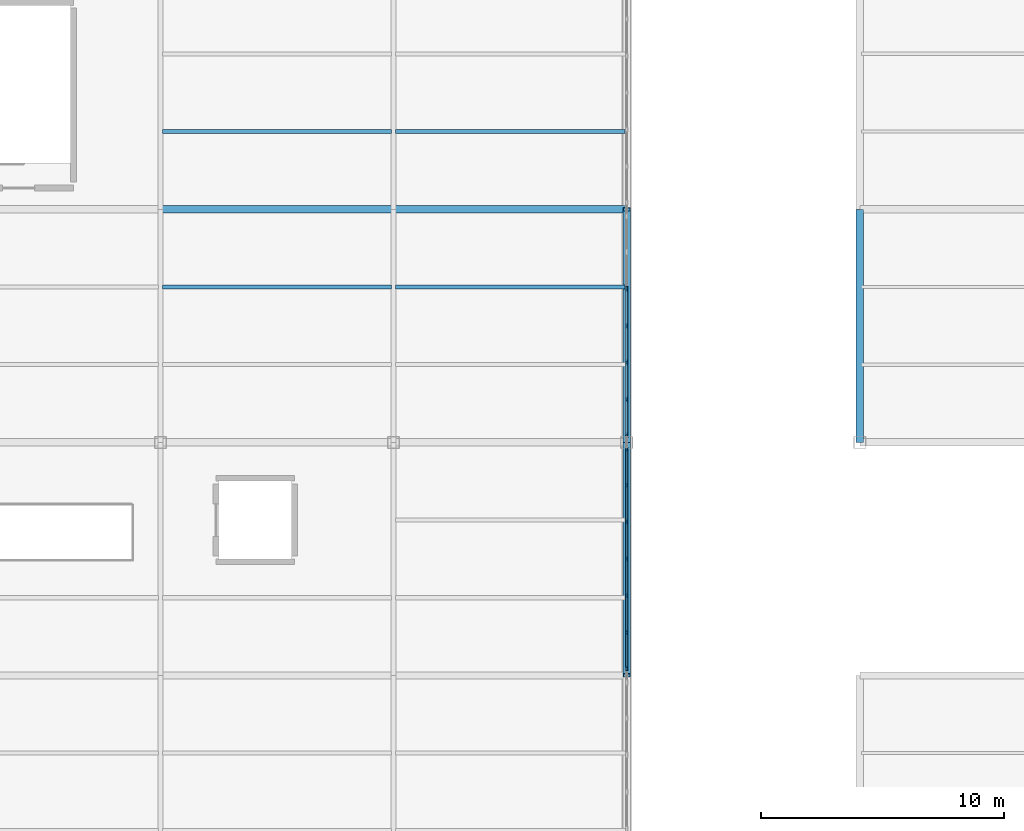
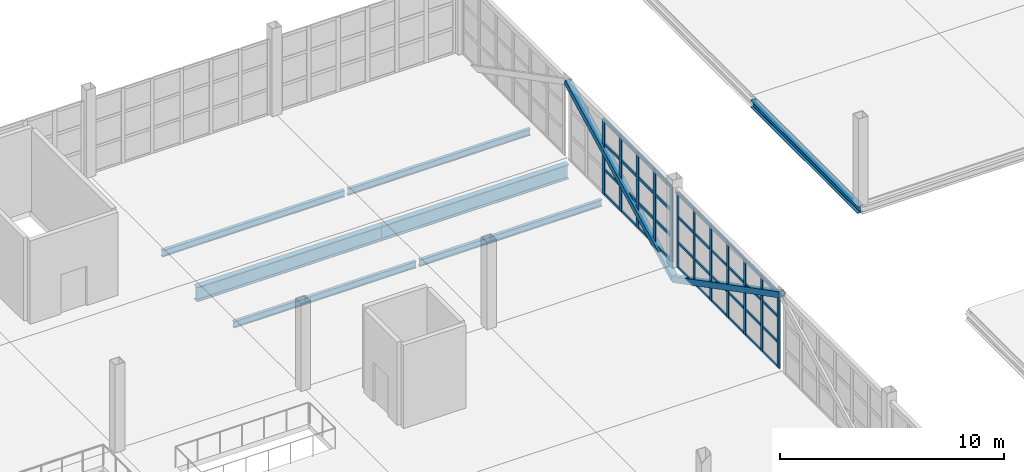
# One storey, part 55 of 120: 54 members, 7 beams, 2 elements without a shape of their own.
"""IFC4 building model written with IfcOpenShell, lengths in metres."""

from ifc_helpers import new_model, si_unit, direction, frame, origin, origin_2d, place, context, subcontext, project, spatial, rectangle, hollow_rectangle, i_section, extrude, material, layer, layer_set, material_profile, profile_set, type_object, element, aggregate, save


model = new_model("IFC4")

# Units and contexts
model_context = context("Model", 3, precision=1e-05, world=origin(), true_north=direction((0.0, 1.0)))
body_context = subcontext(model_context, "Body", "Model", "MODEL_VIEW")
ifc_project = project(units=[si_unit("LENGTHUNIT", "METRE"), si_unit("AREAUNIT", "SQUARE_METRE"), si_unit("VOLUMEUNIT", "CUBIC_METRE"), si_unit("PLANEANGLEUNIT", "RADIAN"), si_unit("MASSUNIT", "GRAM", prefix="KILO")], contexts=[model_context])

# Site, building, storey
site_placement = place(None, origin())
site = spatial("IfcSite", under=ifc_project, at=site_placement, CompositionType="ELEMENT")
building_placement = place(site_placement, origin())
building = spatial("IfcBuilding", under=site, at=building_placement, Name="Zarnetskaya Central Station", CompositionType="ELEMENT")
storey_placement = place(building_placement, frame((0.0, 0.0, 5.39990234375)))
storey = spatial("IfcBuildingStorey", under=building, at=storey_placement, Name="L01", CompositionType="ELEMENT", Elevation=5.39990234375)

# Beams
ifc_material_1 = material(Name="Steel S355", Category="steel")
ifc_material_profile_1 = material_profile(ifc_material_1, i_section(OverallWidth=0.169921875, OverallDepth=0.360107421875, WebThickness=0.008056640625, FlangeThickness=0.0126953125, FilletRadius=0.01806640625, at=origin_2d()), Name="IPE 360")
ifc_profile_set_1 = profile_set([ifc_material_profile_1], Name="Steel S355")
beam_type_1 = type_object("IfcBeamType", Name="BM-SEC-360", PredefinedType="BEAM", material=ifc_profile_set_1)
for number, where, z_axis, x_axis, name in (
    (1, (96.080078125, 112.0, -0.4599609375), (1.0, 0.0, 0.0), (0.0, 1.0, 0.0), "Secondary floor beam SEC-L01-Z512-LM-1314-2"),
    (2, (96.080078125, 118.39990234375, -0.4599609375), (1.0, 0.0, 0.0), (0.0, 1.0, 0.0), "Secondary floor beam SEC-L01-Z512-LM-1415-1"),
):
    element("IfcBeam", number, at=place(storey_placement, frame(where, z_axis=z_axis, x_axis=x_axis)), inside=storey, type_object=beam_type_1, Name=name, PredefinedType="BEAM", context=body_context, shape_type="SweptSolid", body=[
        extrude(i_section(OverallWidth=0.169921875, OverallDepth=0.360107421875, WebThickness=0.008056640625, FlangeThickness=0.0126953125, FilletRadius=0.01806640625, at=origin_2d()), origin(), (0.0, 0.0, 1.0), 9.43994140625),
    ])
for number, where, z_axis, x_axis, name in (
    (3, (105.679931640625, 112.0, -0.4599609375), (1.0, 0.0, 0.0), (0.0, 1.0, 0.0), "Secondary floor beam SEC-L01-Z512-MN-1314-2"),
    (4, (105.679931640625, 118.39990234375, -0.4599609375), (1.0, 0.0, 0.0), (0.0, 1.0, 0.0), "Secondary floor beam SEC-L01-Z512-MN-1415-1"),
):
    element("IfcBeam", number, at=place(storey_placement, frame(where, z_axis=z_axis, x_axis=x_axis)), inside=storey, type_object=beam_type_1, Name=name, PredefinedType="BEAM", context=body_context, shape_type="SweptSolid", body=[
        extrude(i_section(OverallWidth=0.169921875, OverallDepth=0.360107421875, WebThickness=0.008056640625, FlangeThickness=0.0126953125, FilletRadius=0.01806640625, at=origin_2d()), origin(), (0.0, 0.0, 1.0), 9.440185546875),
    ])

# Curtain wall, members
ifc_material_2 = material(Name="Low-E insulated glass", Category="glass")
ifc_layer = layer(ifc_material_2, 0.172119140625, Name="Low-E insulated glass", Category="glass")
ifc_layer_set = layer_set([ifc_layer], Name="Low-E insulated glass")
curtain_wall_type = type_object("IfcCurtainWallType", Name="CW-SYS-09", PredefinedType="USERDEFINED", material=ifc_layer_set)
curtain_wall_1_placement = place(storey_placement, origin())
curtain_wall_1 = element("IfcCurtainWall", 5, at=curtain_wall_1_placement, inside=storey, type_object=curtain_wall_type, Name="Curtain wall CW-L01-159", ObjectType="CURTAIN WALL", PredefinedType="USERDEFINED")
ifc_material_3 = material(Name="Anodised aluminium", Category="aluminium")
ifc_material_profile_2 = material_profile(ifc_material_3, rectangle(XDim=0.070068359375, YDim=0.179931640625, at=origin_2d()), Name="ALU MULL 70x180")
ifc_profile_set_2 = profile_set([ifc_material_profile_2], Name="Anodised aluminium")
member_type_1 = type_object("IfcMemberType", Name="CW-MULL-180", PredefinedType="MULLION", material=ifc_profile_set_2)
member_1_placement = place(storey_placement, frame((115.199951171875, 105.31494140625, 0.0), z_axis=(0.0, 0.0, 1.0), x_axis=(1.0, 0.0, 0.0)))
member_1 = element("IfcMember", 6, at=member_1_placement, type_object=member_type_1, Name="CW-07 mullion 1", PredefinedType="MULLION", context=body_context, shape_type="SweptSolid", body=[
    extrude(rectangle(XDim=0.070068359375, YDim=0.179931640625, at=origin_2d()), origin(), (0.0, 0.0, 1.0), 4.10009765625),
])
member_2_placement = place(storey_placement, frame((115.199951171875, 103.833251953125, 0.0), z_axis=(0.0, 0.0, 1.0), x_axis=(1.0, 0.0, 0.0)))
member_2 = element("IfcMember", 7, at=member_2_placement, type_object=member_type_1, Name="CW-07 mullion 2", PredefinedType="MULLION", context=body_context, shape_type="SweptSolid", body=[
    extrude(rectangle(XDim=0.070068359375, YDim=0.179931640625, at=origin_2d()), origin(), (0.0, 0.0, 1.0), 4.10009765625),
])
member_3_placement = place(storey_placement, frame((115.199951171875, 102.316650390625, 0.0), z_axis=(0.0, 0.0, 1.0), x_axis=(1.0, 0.0, 0.0)))
member_3 = element("IfcMember", 8, at=member_3_placement, type_object=member_type_1, Name="CW-07 mullion 3", PredefinedType="MULLION", context=body_context, shape_type="SweptSolid", body=[
    extrude(rectangle(XDim=0.070068359375, YDim=0.179931640625, at=origin_2d()), origin(), (0.0, 0.0, 1.0), 4.10009765625),
])
member_4_placement = place(storey_placement, frame((115.199951171875, 100.800048828125, 0.0), z_axis=(0.0, 0.0, 1.0), x_axis=(1.0, 0.0, 0.0)))
member_4 = element("IfcMember", 9, at=member_4_placement, type_object=member_type_1, Name="CW-07 mullion 4", PredefinedType="MULLION", context=body_context, shape_type="SweptSolid", body=[
    extrude(rectangle(XDim=0.070068359375, YDim=0.179931640625, at=origin_2d()), origin(), (0.0, 0.0, 1.0), 4.10009765625),
])
member_5_placement = place(storey_placement, frame((115.199951171875, 99.283447265625, 0.0), z_axis=(0.0, 0.0, 1.0), x_axis=(1.0, 0.0, 0.0)))
member_5 = element("IfcMember", 10, at=member_5_placement, type_object=member_type_1, Name="CW-07 mullion 5", PredefinedType="MULLION", context=body_context, shape_type="SweptSolid", body=[
    extrude(rectangle(XDim=0.070068359375, YDim=0.179931640625, at=origin_2d()), origin(), (0.0, 0.0, 1.0), 4.10009765625),
])
member_6_placement = place(storey_placement, frame((115.199951171875, 97.7666015625, 0.0), z_axis=(0.0, 0.0, 1.0), x_axis=(1.0, 0.0, 0.0)))
member_6 = element("IfcMember", 11, at=member_6_placement, type_object=member_type_1, Name="CW-07 mullion 6", PredefinedType="MULLION", context=body_context, shape_type="SweptSolid", body=[
    extrude(rectangle(XDim=0.070068359375, YDim=0.179931640625, at=origin_2d()), origin(), (0.0, 0.0, 1.0), 4.10009765625),
])
member_7_placement = place(storey_placement, frame((115.199951171875, 96.284912109375, 0.0), z_axis=(0.0, 0.0, 1.0), x_axis=(1.0, 0.0, 0.0)))
member_7 = element("IfcMember", 12, at=member_7_placement, type_object=member_type_1, Name="CW-07 mullion 7", PredefinedType="MULLION", context=body_context, shape_type="SweptSolid", body=[
    extrude(rectangle(XDim=0.070068359375, YDim=0.179931640625, at=origin_2d()), origin(), (0.0, 0.0, 1.0), 4.10009765625),
])

curtain_wall_2_placement = place(storey_placement, origin())
curtain_wall_2 = element("IfcCurtainWall", 13, at=curtain_wall_2_placement, inside=storey, type_object=curtain_wall_type, Name="Curtain wall CW-L01-158", ObjectType="CURTAIN WALL", PredefinedType="USERDEFINED")
ifc_material_profile_3 = material_profile(ifc_material_3, rectangle(XDim=0.080078125, YDim=0.219970703125, at=origin_2d()), Name="ALU MULL 80x220")
ifc_profile_set_3 = profile_set([ifc_material_profile_3], Name="Anodised aluminium")
member_type_2 = type_object("IfcMemberType", Name="CW-MULL-220", PredefinedType="MULLION", material=ifc_profile_set_3)
member_8_placement = place(storey_placement, frame((115.199951171875, 111.916748046875, 0.0), z_axis=(0.0, 0.0, 1.0), x_axis=(1.0, 0.0, 0.0)))
member_8 = element("IfcMember", 14, at=member_8_placement, type_object=member_type_2, Name="CW-07 mullion 3", PredefinedType="MULLION", context=body_context, shape_type="SweptSolid", body=[
    extrude(rectangle(XDim=0.080078125, YDim=0.219970703125, at=origin_2d()), origin(), (0.0, 0.0, 1.0), 4.10009765625),
])
member_9_placement = place(storey_placement, frame((115.199951171875, 110.39990234375, 0.0), z_axis=(0.0, 0.0, 1.0), x_axis=(1.0, 0.0, 0.0)))
member_9 = element("IfcMember", 15, at=member_9_placement, type_object=member_type_2, Name="CW-07 mullion 4", PredefinedType="MULLION", context=body_context, shape_type="SweptSolid", body=[
    extrude(rectangle(XDim=0.080078125, YDim=0.219970703125, at=origin_2d()), origin(), (0.0, 0.0, 1.0), 4.10009765625),
])
member_10_placement = place(storey_placement, frame((115.199951171875, 108.88330078125, 0.0), z_axis=(0.0, 0.0, 1.0), x_axis=(1.0, 0.0, 0.0)))
member_10 = element("IfcMember", 16, at=member_10_placement, type_object=member_type_2, Name="CW-07 mullion 5", PredefinedType="MULLION", context=body_context, shape_type="SweptSolid", body=[
    extrude(rectangle(XDim=0.080078125, YDim=0.219970703125, at=origin_2d()), origin(), (0.0, 0.0, 1.0), 4.10009765625),
])
member_11_placement = place(storey_placement, frame((115.199951171875, 107.36669921875, 0.0), z_axis=(0.0, 0.0, 1.0), x_axis=(1.0, 0.0, 0.0)))
member_11 = element("IfcMember", 17, at=member_11_placement, type_object=member_type_2, Name="CW-07 mullion 6", PredefinedType="MULLION", context=body_context, shape_type="SweptSolid", body=[
    extrude(rectangle(XDim=0.080078125, YDim=0.219970703125, at=origin_2d()), origin(), (0.0, 0.0, 1.0), 4.10009765625),
])
member_12_placement = place(storey_placement, frame((115.199951171875, 105.889892578125, 0.0), z_axis=(0.0, 0.0, 1.0), x_axis=(1.0, 0.0, 0.0)))
member_12 = element("IfcMember", 18, at=member_12_placement, type_object=member_type_2, Name="CW-07 mullion 7", PredefinedType="MULLION", context=body_context, shape_type="SweptSolid", body=[
    extrude(rectangle(XDim=0.080078125, YDim=0.219970703125, at=origin_2d()), origin(), (0.0, 0.0, 1.0), 4.10009765625),
])

# Member
ifc_material_profile_4 = material_profile(ifc_material_3, rectangle(XDim=0.070068359375, YDim=0.139892578125, at=origin_2d()), Name="ALU TRAN 70x140")
ifc_profile_set_4 = profile_set([ifc_material_profile_4], Name="Anodised aluminium")
member_type_3 = type_object("IfcMemberType", Name="CW-TRAN-140", PredefinedType="USERDEFINED", material=ifc_profile_set_4)
member_13_placement = place(storey_placement, frame((115.199951171875, 105.280029296875, 0.03515625), z_axis=(0.0, -1.0, 0.0), x_axis=(1.0, 0.0, 0.0)))
member_13 = element("IfcMember", 19, at=member_13_placement, type_object=member_type_3, Name="CW-07 transom 1.1", ObjectType="TRANSOM", PredefinedType="USERDEFINED", context=body_context, shape_type="SweptSolid", body=[
    extrude(rectangle(XDim=0.070068359375, YDim=0.139892578125, at=origin_2d()), origin(), (0.0, 0.0, 1.0), 1.41162109375),
])

member_14_placement = place(storey_placement, frame((115.199951171875, 105.280029296875, 1.39404296875), z_axis=(0.0, -1.0, 0.0), x_axis=(1.0, 0.0, 0.0)))
member_14 = element("IfcMember", 20, at=member_14_placement, type_object=member_type_3, Name="CW-07 transom 1.2", ObjectType="TRANSOM", PredefinedType="USERDEFINED", context=body_context, shape_type="SweptSolid", body=[
    extrude(rectangle(XDim=0.070068359375, YDim=0.139892578125, at=origin_2d()), origin(), (0.0, 0.0, 1.0), 1.41162109375),
])

member_15_placement = place(storey_placement, frame((115.199951171875, 105.280029296875, 2.7880859375), z_axis=(0.0, -1.0, 0.0), x_axis=(1.0, 0.0, 0.0)))
member_15 = element("IfcMember", 21, at=member_15_placement, type_object=member_type_3, Name="CW-07 transom 1.3", ObjectType="TRANSOM", PredefinedType="USERDEFINED", context=body_context, shape_type="SweptSolid", body=[
    extrude(rectangle(XDim=0.070068359375, YDim=0.139892578125, at=origin_2d()), origin(), (0.0, 0.0, 1.0), 1.41162109375),
])

member_16_placement = place(storey_placement, frame((115.199951171875, 105.280029296875, 4.065185546875), z_axis=(0.0, -1.0, 0.0), x_axis=(1.0, 0.0, 0.0)))
member_16 = element("IfcMember", 22, at=member_16_placement, type_object=member_type_3, Name="CW-07 transom 1.4", ObjectType="TRANSOM", PredefinedType="USERDEFINED", context=body_context, shape_type="SweptSolid", body=[
    extrude(rectangle(XDim=0.070068359375, YDim=0.139892578125, at=origin_2d()), origin(), (0.0, 0.0, 1.0), 1.41162109375),
])

member_17_placement = place(storey_placement, frame((115.199951171875, 103.79833984375, 0.03515625), z_axis=(0.0, -1.0, 0.0), x_axis=(1.0, 0.0, 0.0)))
member_17 = element("IfcMember", 23, at=member_17_placement, type_object=member_type_3, Name="CW-07 transom 2.1", ObjectType="TRANSOM", PredefinedType="USERDEFINED", context=body_context, shape_type="SweptSolid", body=[
    extrude(rectangle(XDim=0.070068359375, YDim=0.139892578125, at=origin_2d()), origin(), (0.0, 0.0, 1.0), 1.44677734375),
])

member_18_placement = place(storey_placement, frame((115.199951171875, 103.79833984375, 1.39404296875), z_axis=(0.0, -1.0, 0.0), x_axis=(1.0, 0.0, 0.0)))
member_18 = element("IfcMember", 24, at=member_18_placement, type_object=member_type_3, Name="CW-07 transom 2.2", ObjectType="TRANSOM", PredefinedType="USERDEFINED", context=body_context, shape_type="SweptSolid", body=[
    extrude(rectangle(XDim=0.070068359375, YDim=0.139892578125, at=origin_2d()), origin(), (0.0, 0.0, 1.0), 1.44677734375),
])

member_19_placement = place(storey_placement, frame((115.199951171875, 103.79833984375, 2.7880859375), z_axis=(0.0, -1.0, 0.0), x_axis=(1.0, 0.0, 0.0)))
member_19 = element("IfcMember", 25, at=member_19_placement, type_object=member_type_3, Name="CW-07 transom 2.3", ObjectType="TRANSOM", PredefinedType="USERDEFINED", context=body_context, shape_type="SweptSolid", body=[
    extrude(rectangle(XDim=0.070068359375, YDim=0.139892578125, at=origin_2d()), origin(), (0.0, 0.0, 1.0), 1.44677734375),
])

member_20_placement = place(storey_placement, frame((115.199951171875, 103.79833984375, 4.065185546875), z_axis=(0.0, -1.0, 0.0), x_axis=(1.0, 0.0, 0.0)))
member_20 = element("IfcMember", 26, at=member_20_placement, type_object=member_type_3, Name="CW-07 transom 2.4", ObjectType="TRANSOM", PredefinedType="USERDEFINED", context=body_context, shape_type="SweptSolid", body=[
    extrude(rectangle(XDim=0.070068359375, YDim=0.139892578125, at=origin_2d()), origin(), (0.0, 0.0, 1.0), 1.44677734375),
])

member_21_placement = place(storey_placement, frame((115.199951171875, 102.28173828125, 0.03515625), z_axis=(0.0, -1.0, 0.0), x_axis=(1.0, 0.0, 0.0)))
member_21 = element("IfcMember", 27, at=member_21_placement, type_object=member_type_3, Name="CW-07 transom 3.1", ObjectType="TRANSOM", PredefinedType="USERDEFINED", context=body_context, shape_type="SweptSolid", body=[
    extrude(rectangle(XDim=0.070068359375, YDim=0.139892578125, at=origin_2d()), origin(), (0.0, 0.0, 1.0), 1.44677734375),
])

member_22_placement = place(storey_placement, frame((115.199951171875, 102.28173828125, 1.39404296875), z_axis=(0.0, -1.0, 0.0), x_axis=(1.0, 0.0, 0.0)))
member_22 = element("IfcMember", 28, at=member_22_placement, type_object=member_type_3, Name="CW-07 transom 3.2", ObjectType="TRANSOM", PredefinedType="USERDEFINED", context=body_context, shape_type="SweptSolid", body=[
    extrude(rectangle(XDim=0.070068359375, YDim=0.139892578125, at=origin_2d()), origin(), (0.0, 0.0, 1.0), 1.44677734375),
])

member_23_placement = place(storey_placement, frame((115.199951171875, 102.28173828125, 2.7880859375), z_axis=(0.0, -1.0, 0.0), x_axis=(1.0, 0.0, 0.0)))
member_23 = element("IfcMember", 29, at=member_23_placement, type_object=member_type_3, Name="CW-07 transom 3.3", ObjectType="TRANSOM", PredefinedType="USERDEFINED", context=body_context, shape_type="SweptSolid", body=[
    extrude(rectangle(XDim=0.070068359375, YDim=0.139892578125, at=origin_2d()), origin(), (0.0, 0.0, 1.0), 1.44677734375),
])

member_24_placement = place(storey_placement, frame((115.199951171875, 102.28173828125, 4.065185546875), z_axis=(0.0, -1.0, 0.0), x_axis=(1.0, 0.0, 0.0)))
member_24 = element("IfcMember", 30, at=member_24_placement, type_object=member_type_3, Name="CW-07 transom 3.4", ObjectType="TRANSOM", PredefinedType="USERDEFINED", context=body_context, shape_type="SweptSolid", body=[
    extrude(rectangle(XDim=0.070068359375, YDim=0.139892578125, at=origin_2d()), origin(), (0.0, 0.0, 1.0), 1.44677734375),
])

member_25_placement = place(storey_placement, frame((115.199951171875, 100.764892578125, 0.03515625), z_axis=(0.0, -1.0, 0.0), x_axis=(1.0, 0.0, 0.0)))
member_25 = element("IfcMember", 31, at=member_25_placement, type_object=member_type_3, Name="CW-07 transom 4.1", ObjectType="TRANSOM", PredefinedType="USERDEFINED", context=body_context, shape_type="SweptSolid", body=[
    extrude(rectangle(XDim=0.070068359375, YDim=0.139892578125, at=origin_2d()), origin(), (0.0, 0.0, 1.0), 1.446533203125),
])

member_26_placement = place(storey_placement, frame((115.199951171875, 100.764892578125, 1.39404296875), z_axis=(0.0, -1.0, 0.0), x_axis=(1.0, 0.0, 0.0)))
member_26 = element("IfcMember", 32, at=member_26_placement, type_object=member_type_3, Name="CW-07 transom 4.2", ObjectType="TRANSOM", PredefinedType="USERDEFINED", context=body_context, shape_type="SweptSolid", body=[
    extrude(rectangle(XDim=0.070068359375, YDim=0.139892578125, at=origin_2d()), origin(), (0.0, 0.0, 1.0), 1.446533203125),
])

member_27_placement = place(storey_placement, frame((115.199951171875, 100.764892578125, 2.7880859375), z_axis=(0.0, -1.0, 0.0), x_axis=(1.0, 0.0, 0.0)))
member_27 = element("IfcMember", 33, at=member_27_placement, type_object=member_type_3, Name="CW-07 transom 4.3", ObjectType="TRANSOM", PredefinedType="USERDEFINED", context=body_context, shape_type="SweptSolid", body=[
    extrude(rectangle(XDim=0.070068359375, YDim=0.139892578125, at=origin_2d()), origin(), (0.0, 0.0, 1.0), 1.446533203125),
])

member_28_placement = place(storey_placement, frame((115.199951171875, 100.764892578125, 4.065185546875), z_axis=(0.0, -1.0, 0.0), x_axis=(1.0, 0.0, 0.0)))
member_28 = element("IfcMember", 34, at=member_28_placement, type_object=member_type_3, Name="CW-07 transom 4.4", ObjectType="TRANSOM", PredefinedType="USERDEFINED", context=body_context, shape_type="SweptSolid", body=[
    extrude(rectangle(XDim=0.070068359375, YDim=0.139892578125, at=origin_2d()), origin(), (0.0, 0.0, 1.0), 1.446533203125),
])

member_29_placement = place(storey_placement, frame((115.199951171875, 99.248291015625, 0.03515625), z_axis=(0.0, -1.0, 0.0), x_axis=(1.0, 0.0, 0.0)))
member_29 = element("IfcMember", 35, at=member_29_placement, type_object=member_type_3, Name="CW-07 transom 5.1", ObjectType="TRANSOM", PredefinedType="USERDEFINED", context=body_context, shape_type="SweptSolid", body=[
    extrude(rectangle(XDim=0.070068359375, YDim=0.139892578125, at=origin_2d()), origin(), (0.0, 0.0, 1.0), 1.446533203125),
])

member_30_placement = place(storey_placement, frame((115.199951171875, 99.248291015625, 1.39404296875), z_axis=(0.0, -1.0, 0.0), x_axis=(1.0, 0.0, 0.0)))
member_30 = element("IfcMember", 36, at=member_30_placement, type_object=member_type_3, Name="CW-07 transom 5.2", ObjectType="TRANSOM", PredefinedType="USERDEFINED", context=body_context, shape_type="SweptSolid", body=[
    extrude(rectangle(XDim=0.070068359375, YDim=0.139892578125, at=origin_2d()), origin(), (0.0, 0.0, 1.0), 1.446533203125),
])

member_31_placement = place(storey_placement, frame((115.199951171875, 99.248291015625, 2.7880859375), z_axis=(0.0, -1.0, 0.0), x_axis=(1.0, 0.0, 0.0)))
member_31 = element("IfcMember", 37, at=member_31_placement, type_object=member_type_3, Name="CW-07 transom 5.3", ObjectType="TRANSOM", PredefinedType="USERDEFINED", context=body_context, shape_type="SweptSolid", body=[
    extrude(rectangle(XDim=0.070068359375, YDim=0.139892578125, at=origin_2d()), origin(), (0.0, 0.0, 1.0), 1.446533203125),
])

member_32_placement = place(storey_placement, frame((115.199951171875, 99.248291015625, 4.065185546875), z_axis=(0.0, -1.0, 0.0), x_axis=(1.0, 0.0, 0.0)))
member_32 = element("IfcMember", 38, at=member_32_placement, type_object=member_type_3, Name="CW-07 transom 5.4", ObjectType="TRANSOM", PredefinedType="USERDEFINED", context=body_context, shape_type="SweptSolid", body=[
    extrude(rectangle(XDim=0.070068359375, YDim=0.139892578125, at=origin_2d()), origin(), (0.0, 0.0, 1.0), 1.446533203125),
])

member_33_placement = place(storey_placement, frame((115.199951171875, 97.731689453125, 0.03515625), z_axis=(0.0, -1.0, 0.0), x_axis=(1.0, 0.0, 0.0)))
member_33 = element("IfcMember", 39, at=member_33_placement, type_object=member_type_3, Name="CW-07 transom 6.1", ObjectType="TRANSOM", PredefinedType="USERDEFINED", context=body_context, shape_type="SweptSolid", body=[
    extrude(rectangle(XDim=0.070068359375, YDim=0.139892578125, at=origin_2d()), origin(), (0.0, 0.0, 1.0), 1.41162109375),
])

member_34_placement = place(storey_placement, frame((115.199951171875, 97.731689453125, 1.39404296875), z_axis=(0.0, -1.0, 0.0), x_axis=(1.0, 0.0, 0.0)))
member_34 = element("IfcMember", 40, at=member_34_placement, type_object=member_type_3, Name="CW-07 transom 6.2", ObjectType="TRANSOM", PredefinedType="USERDEFINED", context=body_context, shape_type="SweptSolid", body=[
    extrude(rectangle(XDim=0.070068359375, YDim=0.139892578125, at=origin_2d()), origin(), (0.0, 0.0, 1.0), 1.41162109375),
])

member_35_placement = place(storey_placement, frame((115.199951171875, 97.731689453125, 2.7880859375), z_axis=(0.0, -1.0, 0.0), x_axis=(1.0, 0.0, 0.0)))
member_35 = element("IfcMember", 41, at=member_35_placement, type_object=member_type_3, Name="CW-07 transom 6.3", ObjectType="TRANSOM", PredefinedType="USERDEFINED", context=body_context, shape_type="SweptSolid", body=[
    extrude(rectangle(XDim=0.070068359375, YDim=0.139892578125, at=origin_2d()), origin(), (0.0, 0.0, 1.0), 1.41162109375),
])

member_36_placement = place(storey_placement, frame((115.199951171875, 97.731689453125, 4.065185546875), z_axis=(0.0, -1.0, 0.0), x_axis=(1.0, 0.0, 0.0)))
member_36 = element("IfcMember", 42, at=member_36_placement, type_object=member_type_3, Name="CW-07 transom 6.4", ObjectType="TRANSOM", PredefinedType="USERDEFINED", context=body_context, shape_type="SweptSolid", body=[
    extrude(rectangle(XDim=0.070068359375, YDim=0.139892578125, at=origin_2d()), origin(), (0.0, 0.0, 1.0), 1.41162109375),
])

aggregate(curtain_wall_1, [member_1, member_2, member_3, member_4, member_5, member_6, member_7, member_13, member_14, member_15, member_16, member_17, member_18, member_19, member_20, member_21, member_22, member_23, member_24, member_25, member_26, member_27, member_28, member_29, member_30, member_31, member_32, member_33, member_34, member_35, member_36])

ifc_material_profile_5 = material_profile(ifc_material_3, rectangle(XDim=0.080078125, YDim=0.159912109375, at=origin_2d()), Name="ALU TRAN 80x160")
ifc_profile_set_5 = profile_set([ifc_material_profile_5], Name="Anodised aluminium")
member_type_4 = type_object("IfcMemberType", Name="CW-TRAN-160", PredefinedType="USERDEFINED", material=ifc_profile_set_5)
member_37_placement = place(storey_placement, frame((115.199951171875, 111.876708984375, 0.0400390625), z_axis=(0.0, -1.0, 0.0), x_axis=(1.0, 0.0, 0.0)))
member_37 = element("IfcMember", 43, at=member_37_placement, type_object=member_type_4, Name="CW-07 transom 3.1", ObjectType="TRANSOM", PredefinedType="USERDEFINED", context=body_context, shape_type="SweptSolid", body=[
    extrude(rectangle(XDim=0.080078125, YDim=0.159912109375, at=origin_2d()), origin(), (0.0, 0.0, 1.0), 1.436767578125),
])

member_38_placement = place(storey_placement, frame((115.199951171875, 111.876708984375, 1.39404296875), z_axis=(0.0, -1.0, 0.0), x_axis=(1.0, 0.0, 0.0)))
member_38 = element("IfcMember", 44, at=member_38_placement, type_object=member_type_4, Name="CW-07 transom 3.2", ObjectType="TRANSOM", PredefinedType="USERDEFINED", context=body_context, shape_type="SweptSolid", body=[
    extrude(rectangle(XDim=0.080078125, YDim=0.159912109375, at=origin_2d()), origin(), (0.0, 0.0, 1.0), 1.436767578125),
])

member_39_placement = place(storey_placement, frame((115.199951171875, 111.876708984375, 2.7880859375), z_axis=(0.0, -1.0, 0.0), x_axis=(1.0, 0.0, 0.0)))
member_39 = element("IfcMember", 45, at=member_39_placement, type_object=member_type_4, Name="CW-07 transom 3.3", ObjectType="TRANSOM", PredefinedType="USERDEFINED", context=body_context, shape_type="SweptSolid", body=[
    extrude(rectangle(XDim=0.080078125, YDim=0.159912109375, at=origin_2d()), origin(), (0.0, 0.0, 1.0), 1.436767578125),
])

member_40_placement = place(storey_placement, frame((115.199951171875, 111.876708984375, 4.06005859375), z_axis=(0.0, -1.0, 0.0), x_axis=(1.0, 0.0, 0.0)))
member_40 = element("IfcMember", 46, at=member_40_placement, type_object=member_type_4, Name="CW-07 transom 3.4", ObjectType="TRANSOM", PredefinedType="USERDEFINED", context=body_context, shape_type="SweptSolid", body=[
    extrude(rectangle(XDim=0.080078125, YDim=0.159912109375, at=origin_2d()), origin(), (0.0, 0.0, 1.0), 1.436767578125),
])

member_41_placement = place(storey_placement, frame((115.199951171875, 110.360107421875, 0.0400390625), z_axis=(0.0, -1.0, 0.0), x_axis=(1.0, 0.0, 0.0)))
member_41 = element("IfcMember", 47, at=member_41_placement, type_object=member_type_4, Name="CW-07 transom 4.1", ObjectType="TRANSOM", PredefinedType="USERDEFINED", context=body_context, shape_type="SweptSolid", body=[
    extrude(rectangle(XDim=0.080078125, YDim=0.159912109375, at=origin_2d()), origin(), (0.0, 0.0, 1.0), 1.436767578125),
])

member_42_placement = place(storey_placement, frame((115.199951171875, 110.360107421875, 1.39404296875), z_axis=(0.0, -1.0, 0.0), x_axis=(1.0, 0.0, 0.0)))
member_42 = element("IfcMember", 48, at=member_42_placement, type_object=member_type_4, Name="CW-07 transom 4.2", ObjectType="TRANSOM", PredefinedType="USERDEFINED", context=body_context, shape_type="SweptSolid", body=[
    extrude(rectangle(XDim=0.080078125, YDim=0.159912109375, at=origin_2d()), origin(), (0.0, 0.0, 1.0), 1.436767578125),
])

member_43_placement = place(storey_placement, frame((115.199951171875, 110.360107421875, 2.7880859375), z_axis=(0.0, -1.0, 0.0), x_axis=(1.0, 0.0, 0.0)))
member_43 = element("IfcMember", 49, at=member_43_placement, type_object=member_type_4, Name="CW-07 transom 4.3", ObjectType="TRANSOM", PredefinedType="USERDEFINED", context=body_context, shape_type="SweptSolid", body=[
    extrude(rectangle(XDim=0.080078125, YDim=0.159912109375, at=origin_2d()), origin(), (0.0, 0.0, 1.0), 1.436767578125),
])

member_44_placement = place(storey_placement, frame((115.199951171875, 110.360107421875, 4.06005859375), z_axis=(0.0, -1.0, 0.0), x_axis=(1.0, 0.0, 0.0)))
member_44 = element("IfcMember", 50, at=member_44_placement, type_object=member_type_4, Name="CW-07 transom 4.4", ObjectType="TRANSOM", PredefinedType="USERDEFINED", context=body_context, shape_type="SweptSolid", body=[
    extrude(rectangle(XDim=0.080078125, YDim=0.159912109375, at=origin_2d()), origin(), (0.0, 0.0, 1.0), 1.436767578125),
])

member_45_placement = place(storey_placement, frame((115.199951171875, 108.84326171875, 0.0400390625), z_axis=(0.0, -1.0, 0.0), x_axis=(1.0, 0.0, 0.0)))
member_45 = element("IfcMember", 51, at=member_45_placement, type_object=member_type_4, Name="CW-07 transom 5.1", ObjectType="TRANSOM", PredefinedType="USERDEFINED", context=body_context, shape_type="SweptSolid", body=[
    extrude(rectangle(XDim=0.080078125, YDim=0.159912109375, at=origin_2d()), origin(), (0.0, 0.0, 1.0), 1.4365234375),
])

member_46_placement = place(storey_placement, frame((115.199951171875, 108.84326171875, 1.39404296875), z_axis=(0.0, -1.0, 0.0), x_axis=(1.0, 0.0, 0.0)))
member_46 = element("IfcMember", 52, at=member_46_placement, type_object=member_type_4, Name="CW-07 transom 5.2", ObjectType="TRANSOM", PredefinedType="USERDEFINED", context=body_context, shape_type="SweptSolid", body=[
    extrude(rectangle(XDim=0.080078125, YDim=0.159912109375, at=origin_2d()), origin(), (0.0, 0.0, 1.0), 1.4365234375),
])

member_47_placement = place(storey_placement, frame((115.199951171875, 108.84326171875, 2.7880859375), z_axis=(0.0, -1.0, 0.0), x_axis=(1.0, 0.0, 0.0)))
member_47 = element("IfcMember", 53, at=member_47_placement, type_object=member_type_4, Name="CW-07 transom 5.3", ObjectType="TRANSOM", PredefinedType="USERDEFINED", context=body_context, shape_type="SweptSolid", body=[
    extrude(rectangle(XDim=0.080078125, YDim=0.159912109375, at=origin_2d()), origin(), (0.0, 0.0, 1.0), 1.4365234375),
])

member_48_placement = place(storey_placement, frame((115.199951171875, 108.84326171875, 4.06005859375), z_axis=(0.0, -1.0, 0.0), x_axis=(1.0, 0.0, 0.0)))
member_48 = element("IfcMember", 54, at=member_48_placement, type_object=member_type_4, Name="CW-07 transom 5.4", ObjectType="TRANSOM", PredefinedType="USERDEFINED", context=body_context, shape_type="SweptSolid", body=[
    extrude(rectangle(XDim=0.080078125, YDim=0.159912109375, at=origin_2d()), origin(), (0.0, 0.0, 1.0), 1.4365234375),
])

member_49_placement = place(storey_placement, frame((115.199951171875, 107.32666015625, 0.0400390625), z_axis=(0.0, -1.0, 0.0), x_axis=(1.0, 0.0, 0.0)))
member_49 = element("IfcMember", 55, at=member_49_placement, type_object=member_type_4, Name="CW-07 transom 6.1", ObjectType="TRANSOM", PredefinedType="USERDEFINED", context=body_context, shape_type="SweptSolid", body=[
    extrude(rectangle(XDim=0.080078125, YDim=0.159912109375, at=origin_2d()), origin(), (0.0, 0.0, 1.0), 1.396728515625),
])

member_50_placement = place(storey_placement, frame((115.199951171875, 107.32666015625, 1.39404296875), z_axis=(0.0, -1.0, 0.0), x_axis=(1.0, 0.0, 0.0)))
member_50 = element("IfcMember", 56, at=member_50_placement, type_object=member_type_4, Name="CW-07 transom 6.2", ObjectType="TRANSOM", PredefinedType="USERDEFINED", context=body_context, shape_type="SweptSolid", body=[
    extrude(rectangle(XDim=0.080078125, YDim=0.159912109375, at=origin_2d()), origin(), (0.0, 0.0, 1.0), 1.396728515625),
])

member_51_placement = place(storey_placement, frame((115.199951171875, 107.32666015625, 2.7880859375), z_axis=(0.0, -1.0, 0.0), x_axis=(1.0, 0.0, 0.0)))
member_51 = element("IfcMember", 57, at=member_51_placement, type_object=member_type_4, Name="CW-07 transom 6.3", ObjectType="TRANSOM", PredefinedType="USERDEFINED", context=body_context, shape_type="SweptSolid", body=[
    extrude(rectangle(XDim=0.080078125, YDim=0.159912109375, at=origin_2d()), origin(), (0.0, 0.0, 1.0), 1.396728515625),
])

member_52_placement = place(storey_placement, frame((115.199951171875, 107.32666015625, 4.06005859375), z_axis=(0.0, -1.0, 0.0), x_axis=(1.0, 0.0, 0.0)))
member_52 = element("IfcMember", 58, at=member_52_placement, type_object=member_type_4, Name="CW-07 transom 6.4", ObjectType="TRANSOM", PredefinedType="USERDEFINED", context=body_context, shape_type="SweptSolid", body=[
    extrude(rectangle(XDim=0.080078125, YDim=0.159912109375, at=origin_2d()), origin(), (0.0, 0.0, 1.0), 1.396728515625),
])

aggregate(curtain_wall_2, [member_8, member_9, member_10, member_11, member_12, member_37, member_38, member_39, member_40, member_41, member_42, member_43, member_44, member_45, member_46, member_47, member_48, member_49, member_50, member_51, member_52])

# Beams
ifc_material_profile_6 = material_profile(ifc_material_1, i_section(OverallWidth=0.300048828125, OverallDepth=0.800048828125, WebThickness=0.017578125, FlangeThickness=0.032958984375, FilletRadius=0.030029296875, at=origin_2d()), Name="HEB 800")
ifc_profile_set_6 = profile_set([ifc_material_profile_6], Name="Steel S355")
beam_type_2 = type_object("IfcBeamType", Name="GD-BRG-800", PredefinedType="USERDEFINED", material=ifc_profile_set_6)
beam_1_placement = place(storey_placement, frame((96.0, 115.199951171875, -0.679931640625), z_axis=(1.0, 0.0, 0.0), x_axis=(0.0, 1.0, 0.0)))
element("IfcBeam", 59, at=beam_1_placement, inside=storey, type_object=beam_type_2, Name="Grid girder GX-L01-14-LM", ObjectType="GIRDER", PredefinedType="USERDEFINED", context=body_context, shape_type="SweptSolid", body=[
    extrude(i_section(OverallWidth=0.300048828125, OverallDepth=0.800048828125, WebThickness=0.017578125, FlangeThickness=0.032958984375, FilletRadius=0.030029296875, at=origin_2d()), origin(), (0.0, 0.0, 1.0), 9.60009765625),
])
beam_2_placement = place(storey_placement, frame((105.60009765625, 115.199951171875, -0.679931640625), z_axis=(1.0, 0.0, 0.0), x_axis=(0.0, 1.0, 0.0)))
element("IfcBeam", 60, at=beam_2_placement, inside=storey, type_object=beam_type_2, Name="Grid girder GX-L01-14-MN", ObjectType="GIRDER", PredefinedType="USERDEFINED", context=body_context, shape_type="SweptSolid", body=[
    extrude(i_section(OverallWidth=0.300048828125, OverallDepth=0.800048828125, WebThickness=0.017578125, FlangeThickness=0.032958984375, FilletRadius=0.030029296875, at=origin_2d()), origin(), (0.0, 0.0, 1.0), 9.599853515625),
])
ifc_material_profile_7 = material_profile(ifc_material_1, i_section(OverallWidth=0.300048828125, OverallDepth=0.389892578125, WebThickness=0.010986328125, FlangeThickness=0.01904296875, FilletRadius=0.027099609375, at=origin_2d()), Name="HEA 400")
ifc_profile_set_7 = profile_set([ifc_material_profile_7], Name="Steel S355")
beam_type_3 = type_object("IfcBeamType", Name="GD-ROOF-400", PredefinedType="USERDEFINED", material=ifc_profile_set_7)
beam_3_placement = place(storey_placement, frame((124.800048828125, 105.60009765625, -0.35498046875), z_axis=(0.0, 1.0, 0.0), x_axis=(-1.0, 0.0, 0.0)))
element("IfcBeam", 61, at=beam_3_placement, inside=storey, type_object=beam_type_3, Name="Grid girder GY-L01-P-1314", ObjectType="GIRDER", PredefinedType="USERDEFINED", context=body_context, shape_type="SweptSolid", body=[
    extrude(i_section(OverallWidth=0.300048828125, OverallDepth=0.389892578125, WebThickness=0.010986328125, FlangeThickness=0.01904296875, FilletRadius=0.027099609375, at=origin_2d()), origin(), (0.0, 0.0, 1.0), 9.599853515625),
])

# Members
ifc_material_profile_8 = material_profile(ifc_material_1, hollow_rectangle(XDim=0.300048828125, YDim=0.300048828125, WallThickness=0.01611328125, at=origin_2d()), Name="SHS 300x300x16")
ifc_profile_set_8 = profile_set([ifc_material_profile_8], Name="Steel S355")
member_type_5 = type_object("IfcMemberType", Name="MB-XFER-DIAG", PredefinedType="BRACE", material=ifc_profile_set_8)
member_53_placement = place(storey_placement, frame((115.199951171875, 105.60009765625, -0.77978515625), z_axis=(0.0, -0.887673200705, 0.460473982707), x_axis=(1.0, 0.0, 0.0)))
element("IfcMember", 62, at=member_53_placement, inside=storey, type_object=member_type_5, Name="Transfer truss N 11-13 diagonal 2", PredefinedType="BRACE", context=body_context, shape_type="SweptSolid", body=[
    extrude(hollow_rectangle(XDim=0.300048828125, YDim=0.300048828125, WallThickness=0.01611328125, at=origin_2d()), origin(), (0.0, 0.0, 1.0), 10.81494140625),
])
member_54_placement = place(storey_placement, frame((115.199951171875, 105.60009765625, -0.77978515625), z_axis=(0.0, 0.887668413955, 0.460483210189), x_axis=(-1.0, 0.0, 0.0)))
element("IfcMember", 63, at=member_54_placement, inside=storey, type_object=member_type_5, Name="Transfer truss N 13-15 diagonal 1", PredefinedType="BRACE", context=body_context, shape_type="SweptSolid", body=[
    extrude(hollow_rectangle(XDim=0.300048828125, YDim=0.300048828125, WallThickness=0.01611328125, at=origin_2d()), origin(), (0.0, 0.0, 1.0), 10.814697265625),
])

save(model, "model.ifc")
